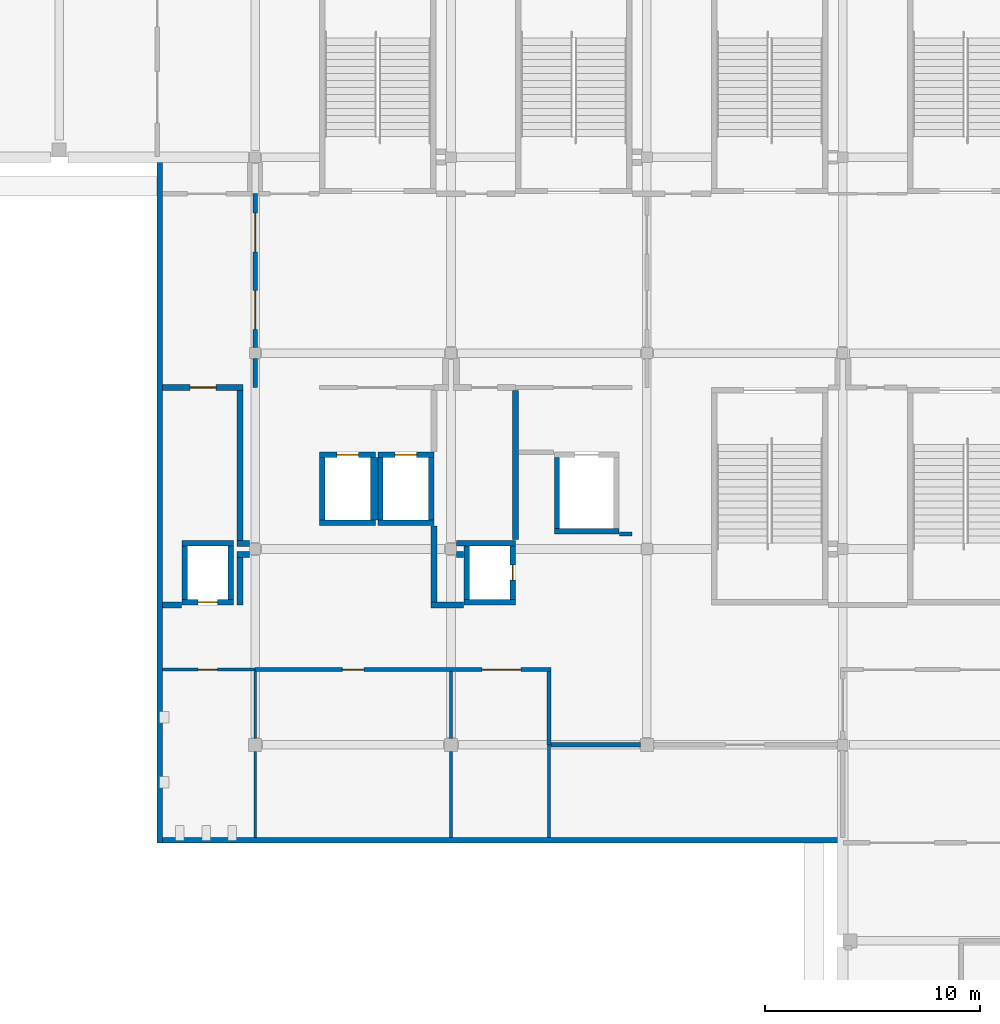
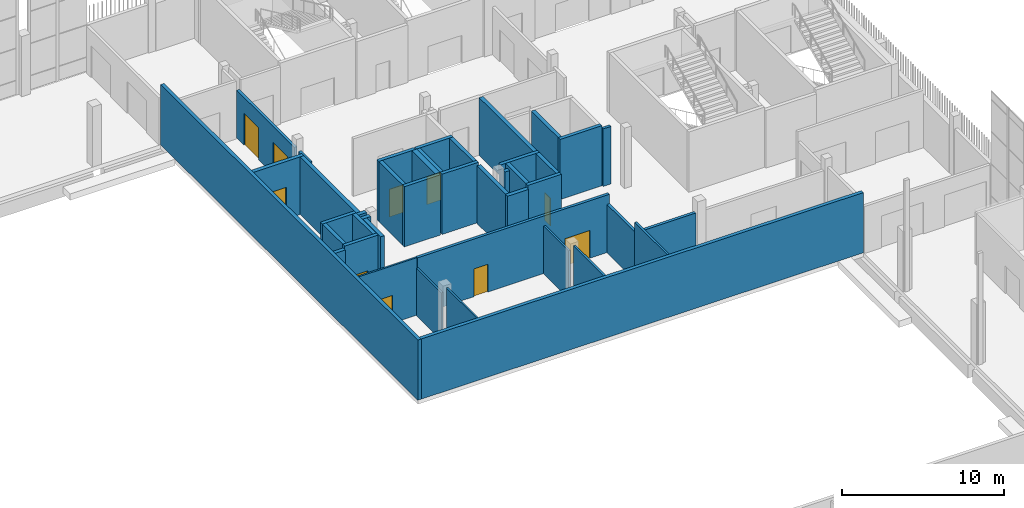
# One storey, part 51 of 91: 42 walls, 10 doors, 10 openings.
"""IFC4 building model written with IfcOpenShell, lengths in metres."""

from ifc_helpers import new_model, si_unit, direction, frame, frame_2d, origin, place, context, subcontext, project, spatial, rectangle, extrude, material, layer, layer_set, type_object, element, fill, save


model = new_model("IFC4")

# Units and contexts
model_context = context("Model", 3, precision=1e-05, world=origin(), true_north=direction((0.0, 1.0)))
body_context = subcontext(model_context, "Body", "Model", "MODEL_VIEW")
ifc_project = project(units=[si_unit("LENGTHUNIT", "METRE"), si_unit("AREAUNIT", "SQUARE_METRE"), si_unit("VOLUMEUNIT", "CUBIC_METRE"), si_unit("PLANEANGLEUNIT", "RADIAN"), si_unit("MASSUNIT", "GRAM", prefix="KILO")], contexts=[model_context])

# Site, building, storey
site_placement = place(None, origin())
site = spatial("IfcSite", under=ifc_project, at=site_placement, CompositionType="ELEMENT")
building_placement = place(site_placement, origin())
building = spatial("IfcBuilding", under=site, at=building_placement, Name="Shirokan Park Arena", CompositionType="ELEMENT")
storey_placement = place(building_placement, frame((0.0, 0.0, 24.570068359375)))
storey = spatial("IfcBuildingStorey", under=building, at=storey_placement, Name="L05", CompositionType="ELEMENT", Elevation=24.570068359375)

# Wall, openings, doors
ifc_material_1 = material(Name="Gypsum board")
ifc_layer_1 = layer(ifc_material_1, 0.02490234375, Name="Gypsum board, two layers")
ifc_material_2 = material(Name="Mineral wool insulation")
ifc_layer_2 = layer(ifc_material_2, 0.14990234375, Name="Mineral wool insulation")
ifc_layer_3 = layer(ifc_material_1, 0.02490234375, Name="Gypsum board, two layers")
ifc_layer_set_1 = layer_set([ifc_layer_1, ifc_layer_2, ifc_layer_3], Name="Gypsum board, two layers + Mineral wool insulation")
wall_type_1 = type_object("IfcWallType", Name="Corridor wall 200", PredefinedType="PARTITIONING", material=ifc_layer_set_1)
wall_1_placement = place(storey_placement, frame((109.199951171875, 76.300048828125, 0.0), z_axis=(0.0, 0.0, 1.0), x_axis=(1.0, 0.0, 0.0)))
wall_1 = element("IfcWall", 1, at=wall_1_placement, inside=storey, type_object=wall_type_1, Name="Corridor wall 200 L05", PredefinedType="PARTITIONING", context=body_context, shape_type="SweptSolid", body=[
    extrude(rectangle(XDim=13.75, YDim=0.199951171875, at=frame_2d((6.875, 0.0))), origin(), (0.0, 0.0, 1.0), 4.349853515625),
])
opening_1_placement = place(wall_1_placement, frame((10.550048828125, 0.0, 0.0)))
opening_1 = element("IfcOpeningElement", 2, at=opening_1_placement, cuts=wall_1, Name="Opening D-5030", PredefinedType="OPENING", context=body_context, shape_type="SweptSolid", body=[
    extrude(rectangle(XDim=1.800048828125, YDim=2.10009765625, at=frame_2d((0.89990234375, 1.050048828125))), frame((0.0, 0.10986328125, 0.0), z_axis=(0.0, -1.0, 0.0), x_axis=(1.0, 0.0, 0.0)), (0.0, 0.0, 1.0), 0.219970703125),
])
opening_2_placement = place(wall_1_placement, frame((4.050048828125, 0.0, 0.0)))
opening_2 = element("IfcOpeningElement", 3, at=opening_2_placement, cuts=wall_1, Name="Opening D-5031", PredefinedType="OPENING", context=body_context, shape_type="SweptSolid", body=[
    extrude(rectangle(XDim=1.0, YDim=2.10009765625, at=frame_2d((0.5, 1.050048828125))), frame((0.0, 0.10986328125, 0.0), z_axis=(0.0, -1.0, 0.0), x_axis=(1.0, 0.0, 0.0)), (0.0, 0.0, 1.0), 0.219970703125),
])
ifc_material_3 = material(Name="Timber door set, fire resisting", Category="wood")
door_type_1 = type_object("IfcDoorType", Name="Door 1000 x 2100", OperationType="SINGLE_SWING_LEFT", PredefinedType="DOOR", material=ifc_material_3)
door_1_placement = place(opening_2_placement, origin())
door_1 = element("IfcDoor", 4, at=door_1_placement, inside=storey, type_object=door_type_1, Name="Door to Staff Room 5.33 D-5031", OperationType="SINGLE_SWING_RIGHT", OverallHeight=2.10009765625, OverallWidth=1.0, PredefinedType="DOOR", context=body_context, shape_type="SweptSolid", body=[
    extrude(rectangle(XDim=1.0, YDim=2.10009765625, at=frame_2d((0.5, 1.050048828125))), frame((0.0, 0.02490234375, 0.0), z_axis=(0.0, -1.0, 0.0), x_axis=(1.0, 0.0, 0.0)), (0.0, 0.0, 1.0), 0.050048828125),
])
fill(opening_2, door_1)
door_type_2 = type_object("IfcDoorType", Name="Double door 1800 x 2100", OperationType="DOUBLE_DOOR_SINGLE_SWING", PredefinedType="DOOR", material=ifc_material_3)
door_2_placement = place(opening_1_placement, origin())
door_2 = element("IfcDoor", 5, at=door_2_placement, inside=storey, type_object=door_type_2, Name="Door to Merchandise Store 5.32 D-5030", OperationType="DOUBLE_DOOR_SINGLE_SWING", OverallHeight=2.10009765625, OverallWidth=1.800048828125, PredefinedType="DOOR", context=body_context, shape_type="SweptSolid", body=[
    extrude(rectangle(XDim=1.800048828125, YDim=2.10009765625, at=frame_2d((0.89990234375, 1.050048828125))), frame((0.0, 0.02490234375, 0.0), z_axis=(0.0, -1.0, 0.0), x_axis=(1.0, 0.0, 0.0)), (0.0, 0.0, 1.0), 0.050048828125),
])
fill(opening_1, door_2)

# Wall
wall_2_placement = place(storey_placement, frame((109.199951171875, 89.39990234375, 0.0), z_axis=(0.0, 0.0, 1.0), x_axis=(0.0, 1.0, 0.0)))
element("IfcWall", 6, at=wall_2_placement, inside=storey, type_object=wall_type_1, Name="Corridor wall 200 L05", PredefinedType="PARTITIONING", context=body_context, shape_type="SweptSolid", body=[
    extrude(rectangle(XDim=1.35009765625, YDim=0.199951171875, at=frame_2d((0.675048828125, 0.0))), origin(), (0.0, 0.0, 1.0), 3.599853515625),
])

# Wall, openings, doors
wall_3_placement = place(storey_placement, frame((109.199951171875, 91.25, 0.0), z_axis=(0.0, 0.0, 1.0), x_axis=(0.0, 1.0, 0.0)))
wall_3 = element("IfcWall", 7, at=wall_3_placement, inside=storey, type_object=wall_type_1, Name="Corridor wall 200 L05", PredefinedType="PARTITIONING", context=body_context, shape_type="SweptSolid", body=[
    extrude(rectangle(XDim=7.14990234375, YDim=0.199951171875, at=frame_2d((3.574951171875, 0.0))), origin(), (0.0, 0.0, 1.0), 3.599853515625),
])
opening_3_placement = place(wall_3_placement, frame((0.85009765625, 0.0, 0.0)))
opening_3 = element("IfcOpeningElement", 8, at=opening_3_placement, cuts=wall_3, Name="Opening D-5098", PredefinedType="OPENING", context=body_context, shape_type="SweptSolid", body=[
    extrude(rectangle(XDim=1.800048828125, YDim=2.39990234375, at=frame_2d((0.89990234375, 1.199951171875))), frame((0.0, 0.10986328125, 0.0), z_axis=(0.0, -1.0, 0.0), x_axis=(1.0, 0.0, 0.0)), (0.0, 0.0, 1.0), 0.219970703125),
])
opening_4_placement = place(wall_3_placement, frame((4.449951171875, 0.0, 0.0)))
opening_4 = element("IfcOpeningElement", 9, at=opening_4_placement, cuts=wall_3, Name="Opening D-5099", PredefinedType="OPENING", context=body_context, shape_type="SweptSolid", body=[
    extrude(rectangle(XDim=1.800048828125, YDim=2.39990234375, at=frame_2d((0.89990234375, 1.199951171875))), frame((0.0, 0.10986328125, 0.0), z_axis=(0.0, -1.0, 0.0), x_axis=(1.0, 0.0, 0.0)), (0.0, 0.0, 1.0), 0.219970703125),
])
ifc_material_4 = material(Name="Glazed steel door set, fire resisting", Category="steel")
door_type_3 = type_object("IfcDoorType", Name="Lift lobby door 1800 x 2400", OperationType="DOUBLE_DOOR_SINGLE_SWING", PredefinedType="DOOR", material=ifc_material_4)
door_3_placement = place(opening_3_placement, origin())
door_3 = element("IfcDoor", 10, at=door_3_placement, inside=storey, type_object=door_type_3, Name="Door between Retail Arcade 3.5.2 and Upper Concourse Lobby 3.5.3 D-5098", OperationType="DOUBLE_DOOR_SINGLE_SWING", OverallHeight=2.39990234375, OverallWidth=1.800048828125, PredefinedType="DOOR", context=body_context, shape_type="SweptSolid", body=[
    extrude(rectangle(XDim=1.800048828125, YDim=2.39990234375, at=frame_2d((0.89990234375, 1.199951171875))), frame((0.0, 0.02490234375, 0.0), z_axis=(0.0, -1.0, 0.0), x_axis=(1.0, 0.0, 0.0)), (0.0, 0.0, 1.0), 0.050048828125),
])
fill(opening_3, door_3)
door_4_placement = place(opening_4_placement, origin())
door_4 = element("IfcDoor", 11, at=door_4_placement, inside=storey, type_object=door_type_3, Name="Door between Retail Arcade 3.5.2 and Upper Concourse Lobby 3.5.3 D-5099", OperationType="DOUBLE_DOOR_SINGLE_SWING", OverallHeight=2.39990234375, OverallWidth=1.800048828125, PredefinedType="DOOR", context=body_context, shape_type="SweptSolid", body=[
    extrude(rectangle(XDim=1.800048828125, YDim=2.39990234375, at=frame_2d((0.89990234375, 1.199951171875))), frame((0.0, 0.02490234375, 0.0), z_axis=(0.0, -1.0, 0.0), x_axis=(1.0, 0.0, 0.0)), (0.0, 0.0, 1.0), 0.050048828125),
])
fill(opening_4, door_4)

# Walls
wall_4_placement = place(storey_placement, frame((122.85009765625, 76.199951171875, 0.0), z_axis=(0.0, 0.0, 1.0), x_axis=(0.0, -1.0, 0.0)))
element("IfcWall", 12, at=wall_4_placement, inside=storey, type_object=wall_type_1, Name="Corridor wall 200 L05", PredefinedType="PARTITIONING", context=body_context, shape_type="SweptSolid", body=[
    extrude(rectangle(XDim=3.39990234375, YDim=0.199951171875, at=frame_2d((1.699951171875, 0.0))), origin(), (0.0, 0.0, 1.0), 3.64990234375),
])
wall_5_placement = place(storey_placement, frame((122.949951171875, 72.800048828125, 0.0), z_axis=(0.0, 0.0, 1.0), x_axis=(1.0, 0.0, 0.0)))
element("IfcWall", 13, at=wall_5_placement, inside=storey, type_object=wall_type_1, Name="Corridor wall 200 L05", PredefinedType="PARTITIONING", context=body_context, shape_type="SweptSolid", body=[
    extrude(rectangle(XDim=4.150146484375, YDim=0.199951171875, at=frame_2d((2.0751953125, 0.0))), origin(), (0.0, 0.0, 1.0), 3.599853515625),
])
wall_6_placement = place(storey_placement, frame((126.699951171875, 82.60009765625, 0.0), z_axis=(0.0, 0.0, 1.0), x_axis=(-1.0, 0.0, 0.0)))
element("IfcWall", 14, at=wall_6_placement, inside=storey, type_object=wall_type_1, Name="Corridor wall 200 L05", PredefinedType="PARTITIONING", context=body_context, shape_type="SweptSolid", body=[
    extrude(rectangle(XDim=0.570068359375, YDim=0.199951171875, at=frame_2d((0.28515625, 0.0))), origin(), (0.0, 0.0, 1.0), 4.349853515625),
])
ifc_material_5 = material(Name="Plaster")
ifc_layer_4 = layer(ifc_material_5, 0.012451171875, Name="Plaster")
ifc_material_6 = material(Name="Concrete blockwork", Category="masonry")
ifc_layer_5 = layer(ifc_material_6, 0.25, Name="Concrete blockwork 250")
ifc_layer_6 = layer(ifc_material_5, 0.012451171875, Name="Plaster")
ifc_layer_set_2 = layer_set([ifc_layer_4, ifc_layer_5, ifc_layer_6], Name="Plaster + Concrete blockwork 250")
wall_type_2 = type_object("IfcWallType", Name="Plant room wall 275", PredefinedType="SOLIDWALL", material=ifc_layer_set_2)
wall_7_placement = place(storey_placement, frame((105.77001953125, 79.300048828125, 0.0), z_axis=(0.0, 0.0, 1.0), x_axis=(-1.0, 0.0, 0.0)))
element("IfcWall", 15, at=wall_7_placement, inside=storey, type_object=wall_type_2, Name="Plant room wall 275 L05", PredefinedType="SOLIDWALL", context=body_context, shape_type="SweptSolid", body=[
    extrude(rectangle(XDim=0.8701171875, YDim=0.27490234375, at=frame_2d((0.43505859375, 0.0))), origin(), (0.0, 0.0, 1.0), 4.349853515625),
])
wall_8_placement = place(storey_placement, frame((108.362548828125, 81.64990234375, 0.0), z_axis=(0.0, 0.0, 1.0), x_axis=(1.0, 0.0, 0.0)))
element("IfcWall", 16, at=wall_8_placement, inside=storey, type_object=wall_type_2, Name="Plant room wall 275 L05", PredefinedType="SOLIDWALL", context=body_context, shape_type="SweptSolid", body=[
    extrude(rectangle(XDim=0.58740234375, YDim=0.27490234375, at=frame_2d((0.293701171875, 0.0))), origin(), (0.0, 0.0, 1.0), 4.349853515625),
])
wall_9_placement = place(storey_placement, frame((108.5, 79.300048828125, 0.0), z_axis=(0.0, 0.0, 1.0), x_axis=(0.0, 1.0, 0.0)))
element("IfcWall", 17, at=wall_9_placement, inside=storey, type_object=wall_type_2, Name="Plant room wall 275 L05", PredefinedType="SOLIDWALL", context=body_context, shape_type="SweptSolid", body=[
    extrude(rectangle(XDim=2.21240234375, YDim=0.27490234375, at=frame_2d((1.106201171875, 0.0))), origin(), (0.0, 0.0, 1.0), 4.349853515625),
])
wall_10_placement = place(storey_placement, frame((108.5, 82.28759765625, 0.0), z_axis=(0.0, 0.0, 1.0), x_axis=(0.0, 1.0, 0.0)))
element("IfcWall", 18, at=wall_10_placement, inside=storey, type_object=wall_type_2, Name="Plant room wall 275 L05", PredefinedType="SOLIDWALL", context=body_context, shape_type="SweptSolid", body=[
    extrude(rectangle(XDim=6.974853515625, YDim=0.27490234375, at=frame_2d((3.4873046875, 0.0))), origin(), (0.0, 0.0, 1.0), 4.349853515625),
])

# Wall, opening, door
wall_11_placement = place(storey_placement, frame((108.637451171875, 89.39990234375, 0.0), z_axis=(0.0, 0.0, 1.0), x_axis=(-1.0, 0.0, 0.0)))
wall_11 = element("IfcWall", 19, at=wall_11_placement, inside=storey, type_object=wall_type_2, Name="Plant room wall 275 L05", PredefinedType="SOLIDWALL", context=body_context, shape_type="SweptSolid", body=[
    extrude(rectangle(XDim=3.737548828125, YDim=0.27490234375, at=frame_2d((1.86865234375, 0.0))), origin(), (0.0, 0.0, 1.0), 4.349853515625),
])
opening_5_placement = place(wall_11_placement, frame((1.25, 0.0, 0.0)))
opening_5 = element("IfcOpeningElement", 20, at=opening_5_placement, cuts=wall_11, Name="Opening D-5025", PredefinedType="OPENING", context=body_context, shape_type="SweptSolid", body=[
    extrude(rectangle(XDim=1.199951171875, YDim=2.39990234375, at=frame_2d((0.60009765625, 1.199951171875))), frame((0.0, 0.1474609375, 0.0), z_axis=(0.0, -1.0, 0.0), x_axis=(1.0, 0.0, 0.0)), (0.0, 0.0, 1.0), 0.294921875),
])
ifc_material_7 = material(Name="Louvred steel door set, fire resisting", Category="steel")
door_type_4 = type_object("IfcDoorType", Name="Plant room door 1200 x 2400", OperationType="SINGLE_SWING_LEFT", PredefinedType="DOOR", material=ifc_material_7)
door_5_placement = place(opening_5_placement, origin())
door_5 = element("IfcDoor", 21, at=door_5_placement, inside=storey, type_object=door_type_4, Name="Door to Communications Room 5.39 D-5025", OperationType="SINGLE_SWING_RIGHT", OverallHeight=2.39990234375, OverallWidth=1.199951171875, PredefinedType="DOOR", context=body_context, shape_type="SweptSolid", body=[
    extrude(rectangle(XDim=1.199951171875, YDim=2.39990234375, at=frame_2d((0.60009765625, 1.199951171875))), frame((0.0, 0.02490234375, 0.0), z_axis=(0.0, -1.0, 0.0), x_axis=(1.0, 0.0, 0.0)), (0.0, 0.0, 1.0), 0.050048828125),
])
fill(opening_5, door_5)

# Walls
wall_12_placement = place(storey_placement, frame((108.949951171875, 82.14990234375, 0.0), z_axis=(0.0, 0.0, 1.0), x_axis=(-1.0, 0.0, 0.0)))
element("IfcWall", 22, at=wall_12_placement, inside=storey, type_object=wall_type_2, Name="Plant room wall 275 L05", PredefinedType="SOLIDWALL", context=body_context, shape_type="SweptSolid", body=[
    extrude(rectangle(XDim=0.58740234375, YDim=0.27490234375, at=frame_2d((0.293701171875, 0.0))), origin(), (0.0, 0.0, 1.0), 4.349853515625),
])
wall_13_placement = place(storey_placement, frame((117.5, 79.4375, 0.0), z_axis=(0.0, 0.0, 1.0), x_axis=(0.0, 1.0, 0.0)))
element("IfcWall", 23, at=wall_13_placement, inside=storey, type_object=wall_type_2, Name="Plant room wall 275 L05", PredefinedType="SOLIDWALL", context=body_context, shape_type="SweptSolid", body=[
    extrude(rectangle(XDim=3.532470703125, YDim=0.27490234375, at=frame_2d((1.76611328125, 0.0))), origin(), (0.0, 0.0, 1.0), 4.349853515625),
])
wall_14_placement = place(storey_placement, frame((118.550048828125, 81.64990234375, 0.0), z_axis=(0.0, 0.0, 1.0), x_axis=(1.0, 0.0, 0.0)))
element("IfcWall", 24, at=wall_14_placement, inside=storey, type_object=wall_type_2, Name="Plant room wall 275 L05", PredefinedType="SOLIDWALL", context=body_context, shape_type="SweptSolid", body=[
    extrude(rectangle(XDim=0.320068359375, YDim=0.27490234375, at=frame_2d((0.16015625, 0.0))), origin(), (0.0, 0.0, 1.0), 4.349853515625),
])
wall_15_placement = place(storey_placement, frame((118.8701171875, 79.300048828125, 0.0), z_axis=(0.0, 0.0, 1.0), x_axis=(-1.0, 0.0, 0.0)))
element("IfcWall", 25, at=wall_15_placement, inside=storey, type_object=wall_type_2, Name="Plant room wall 275 L05", PredefinedType="SOLIDWALL", context=body_context, shape_type="SweptSolid", body=[
    extrude(rectangle(XDim=1.507568359375, YDim=0.27490234375, at=frame_2d((0.75390625, 0.0))), origin(), (0.0, 0.0, 1.0), 4.349853515625),
])
wall_16_placement = place(storey_placement, frame((121.300048828125, 82.330078125, 0.0), z_axis=(0.0, 0.0, 1.0), x_axis=(0.0, 1.0, 0.0)))
element("IfcWall", 26, at=wall_16_placement, inside=storey, type_object=wall_type_2, Name="Plant room wall 275 L05", PredefinedType="SOLIDWALL", context=body_context, shape_type="SweptSolid", body=[
    extrude(rectangle(XDim=6.932373046875, YDim=0.27490234375, at=frame_2d((3.46630859375, 0.0))), origin(), (0.0, 0.0, 1.0), 4.349853515625),
])
ifc_material_8 = material(Name="Concrete C35", Category="concrete")
ifc_layer_7 = layer(ifc_material_8, 0.25)
ifc_layer_set_3 = layer_set([ifc_layer_7], Name="Concrete C35 250 mm")
wall_type_3 = type_object("IfcWallType", Name="RC flank wall 250", PredefinedType="SHEAR", material=ifc_layer_set_3)
for number, where, z_axis, x_axis, name in (
    (27, (104.77490234375, 68.25, 0.0), (0.0, 0.0, 1.0), (0.0, 1.0, 0.0), "Flank wall N2 L05"),
    (28, (104.64990234375, 68.375, 0.0), (0.0, 0.0, 1.0), (1.0, 0.0, 0.0), "Flank wall E2 L05"),
):
    element("IfcWall", number, at=place(storey_placement, frame(where, z_axis=z_axis, x_axis=x_axis)), inside=storey, type_object=wall_type_3, Name=name, PredefinedType="SHEAR", context=body_context, shape_type="SweptSolid", body=[
        extrude(rectangle(XDim=31.85009765625, YDim=0.25, at=frame_2d((15.925048828125, 0.0))), origin(), (0.0, 0.0, 1.0), 4.550048828125),
    ])
ifc_material_9 = material(Name="Concrete C40/50", Category="concrete")
ifc_layer_8 = layer(ifc_material_9, 0.25)
ifc_layer_set_4 = layer_set([ifc_layer_8], Name="Concrete C40/50 250 mm")
wall_type_4 = type_object("IfcWallType", Name="RC shear wall 250", PredefinedType="SHEAR", material=ifc_layer_set_4)
wall_17_placement = place(storey_placement, frame((117.5, 83.125, 0.0), z_axis=(0.0, 0.0, 1.0), x_axis=(-1.0, 0.0, 0.0)))
element("IfcWall", 29, at=wall_17_placement, inside=storey, type_object=wall_type_4, Name="Shaft wall Passenger Lift 3.1 S L05", PredefinedType="SHEAR", context=body_context, shape_type="SweptSolid", body=[
    extrude(rectangle(XDim=2.60009765625, YDim=0.25, at=frame_2d((1.300048828125, 0.0))), origin(), (0.0, 0.0, 1.0), 4.550048828125),
])

# Wall, opening, door
wall_18_placement = place(storey_placement, frame((117.5, 86.27490234375, 0.0), z_axis=(0.0, 0.0, 1.0), x_axis=(-1.0, 0.0, 0.0)))
wall_18 = element("IfcWall", 30, at=wall_18_placement, inside=storey, type_object=wall_type_4, Name="Shaft wall Passenger Lift 3.1 N L05", PredefinedType="SHEAR", context=body_context, shape_type="SweptSolid", body=[
    extrude(rectangle(XDim=2.60009765625, YDim=0.25, at=frame_2d((1.300048828125, 0.0))), origin(), (0.0, 0.0, 1.0), 4.550048828125),
])
opening_6_placement = place(wall_18_placement, frame((0.800048828125, 0.0, 0.0)))
opening_6 = element("IfcOpeningElement", 31, at=opening_6_placement, cuts=wall_18, Name="Opening LD30", PredefinedType="OPENING", context=body_context, shape_type="SweptSolid", body=[
    extrude(rectangle(XDim=1.0, YDim=2.10009765625, at=frame_2d((0.5, 1.050048828125))), frame((0.0, 0.135009765625, 0.0), z_axis=(0.0, -1.0, 0.0), x_axis=(1.0, 0.0, 0.0)), (0.0, 0.0, 1.0), 0.27001953125),
])
ifc_material_10 = material(Name="Stainless steel", Category="steel")
door_type_5 = type_object("IfcDoorType", Name="Lift landing door 1000x2100", OperationType="DOUBLE_DOOR_SLIDING", PredefinedType="DOOR", material=ifc_material_10)
door_6_placement = place(opening_6_placement, origin())
door_6 = element("IfcDoor", 32, at=door_6_placement, inside=storey, type_object=door_type_5, Name="Lift landing door Passenger Lift 3.1 L05", OperationType="DOUBLE_DOOR_SLIDING", OverallHeight=2.10009765625, OverallWidth=1.0, PredefinedType="DOOR", context=body_context, shape_type="SweptSolid", body=[
    extrude(rectangle(XDim=1.0, YDim=2.10009765625, at=frame_2d((0.5, 1.050048828125))), frame((0.0, 0.02490234375, 0.0), z_axis=(0.0, -1.0, 0.0), x_axis=(1.0, 0.0, 0.0)), (0.0, 0.0, 1.0), 0.050048828125),
])
fill(opening_6, door_6)

# Walls
for number, where, z_axis, x_axis, name in (
    (33, (115.02490234375, 86.14990234375, 0.0), (0.0, 0.0, 1.0), (0.0, -1.0, 0.0), "Shaft wall Passenger Lift 3.1 W L05"),
    (34, (117.375, 86.14990234375, 0.0), (0.0, 0.0, 1.0), (0.0, -1.0, 0.0), "Shaft wall Passenger Lift 3.1 E L05"),
):
    element("IfcWall", number, at=place(storey_placement, frame(where, z_axis=z_axis, x_axis=x_axis)), inside=storey, type_object=wall_type_4, Name=name, PredefinedType="SHEAR", context=body_context, shape_type="SweptSolid", body=[
        extrude(rectangle(XDim=2.89990234375, YDim=0.25, at=frame_2d((1.449951171875, 0.0))), origin(), (0.0, 0.0, 1.0), 4.550048828125),
    ])
wall_19_placement = place(storey_placement, frame((114.800048828125, 83.125, 0.0), z_axis=(0.0, 0.0, 1.0), x_axis=(-1.0, 0.0, 0.0)))
element("IfcWall", 35, at=wall_19_placement, inside=storey, type_object=wall_type_4, Name="Shaft wall Passenger Lift 3.2 S L05", PredefinedType="SHEAR", context=body_context, shape_type="SweptSolid", body=[
    extrude(rectangle(XDim=2.60009765625, YDim=0.25, at=frame_2d((1.300048828125, 0.0))), origin(), (0.0, 0.0, 1.0), 4.550048828125),
])

# Wall, opening, door
wall_20_placement = place(storey_placement, frame((114.800048828125, 86.27490234375, 0.0), z_axis=(0.0, 0.0, 1.0), x_axis=(-1.0, 0.0, 0.0)))
wall_20 = element("IfcWall", 36, at=wall_20_placement, inside=storey, type_object=wall_type_4, Name="Shaft wall Passenger Lift 3.2 N L05", PredefinedType="SHEAR", context=body_context, shape_type="SweptSolid", body=[
    extrude(rectangle(XDim=2.60009765625, YDim=0.25, at=frame_2d((1.300048828125, 0.0))), origin(), (0.0, 0.0, 1.0), 4.550048828125),
])
opening_7_placement = place(wall_20_placement, frame((0.800048828125, 0.0, 0.0)))
opening_7 = element("IfcOpeningElement", 37, at=opening_7_placement, cuts=wall_20, Name="Opening LD36", PredefinedType="OPENING", context=body_context, shape_type="SweptSolid", body=[
    extrude(rectangle(XDim=1.0, YDim=2.10009765625, at=frame_2d((0.5, 1.050048828125))), frame((0.0, 0.135009765625, 0.0), z_axis=(0.0, -1.0, 0.0), x_axis=(1.0, 0.0, 0.0)), (0.0, 0.0, 1.0), 0.27001953125),
])
door_7_placement = place(opening_7_placement, origin())
door_7 = element("IfcDoor", 38, at=door_7_placement, inside=storey, type_object=door_type_5, Name="Lift landing door Passenger Lift 3.2 L05", OperationType="DOUBLE_DOOR_SLIDING", OverallHeight=2.10009765625, OverallWidth=1.0, PredefinedType="DOOR", context=body_context, shape_type="SweptSolid", body=[
    extrude(rectangle(XDim=1.0, YDim=2.10009765625, at=frame_2d((0.5, 1.050048828125))), frame((0.0, 0.02490234375, 0.0), z_axis=(0.0, -1.0, 0.0), x_axis=(1.0, 0.0, 0.0)), (0.0, 0.0, 1.0), 0.050048828125),
])
fill(opening_7, door_7)

# Wall
wall_21_placement = place(storey_placement, frame((112.324951171875, 86.14990234375, 0.0), z_axis=(0.0, 0.0, 1.0), x_axis=(0.0, -1.0, 0.0)))
element("IfcWall", 39, at=wall_21_placement, inside=storey, type_object=wall_type_4, Name="Shaft wall Passenger Lift 3.2 W L05", PredefinedType="SHEAR", context=body_context, shape_type="SweptSolid", body=[
    extrude(rectangle(XDim=2.89990234375, YDim=0.25, at=frame_2d((1.449951171875, 0.0))), origin(), (0.0, 0.0, 1.0), 4.550048828125),
])

# Wall, opening, door
wall_22_placement = place(storey_placement, frame((108.199951171875, 79.425048828125, 0.0), z_axis=(0.0, 0.0, 1.0), x_axis=(-1.0, 0.0, 0.0)))
wall_22 = element("IfcWall", 40, at=wall_22_placement, inside=storey, type_object=wall_type_4, Name="Shaft wall Services Riser 3.1 S L05", PredefinedType="SHEAR", context=body_context, shape_type="SweptSolid", body=[
    extrude(rectangle(XDim=2.39990234375, YDim=0.25, at=frame_2d((1.199951171875, 0.0))), origin(), (0.0, 0.0, 1.0), 4.550048828125),
])
opening_8_placement = place(wall_22_placement, frame((0.75, 0.0, 0.0)))
opening_8 = element("IfcOpeningElement", 41, at=opening_8_placement, cuts=wall_22, Name="Opening D-5128", PredefinedType="OPENING", context=body_context, shape_type="SweptSolid", body=[
    extrude(rectangle(XDim=0.89990234375, YDim=2.10009765625, at=frame_2d((0.449951171875, 1.050048828125))), frame((0.0, 0.135009765625, 0.0), z_axis=(0.0, -1.0, 0.0), x_axis=(1.0, 0.0, 0.0)), (0.0, 0.0, 1.0), 0.27001953125),
])
ifc_material_11 = material(Name="Steel door set, fire resisting", Category="steel")
door_type_6 = type_object("IfcDoorType", Name="Electrical riser door 900 x 2100", OperationType="SINGLE_SWING_LEFT", PredefinedType="DOOR", material=ifc_material_11)
door_8_placement = place(opening_8_placement, origin())
door_8 = element("IfcDoor", 42, at=door_8_placement, inside=storey, type_object=door_type_6, Name="Riser access door Services Riser 3.1 D-5128", OperationType="SINGLE_SWING_LEFT", OverallHeight=2.10009765625, OverallWidth=0.89990234375, PredefinedType="DOOR", context=body_context, shape_type="SweptSolid", body=[
    extrude(rectangle(XDim=0.89990234375, YDim=2.10009765625, at=frame_2d((0.449951171875, 1.050048828125))), frame((0.0, 0.02490234375, 0.0), z_axis=(0.0, -1.0, 0.0), x_axis=(1.0, 0.0, 0.0)), (0.0, 0.0, 1.0), 0.050048828125),
])
fill(opening_8, door_8)

# Walls
wall_23_placement = place(storey_placement, frame((108.199951171875, 82.175048828125, 0.0), z_axis=(0.0, 0.0, 1.0), x_axis=(-1.0, 0.0, 0.0)))
element("IfcWall", 43, at=wall_23_placement, inside=storey, type_object=wall_type_4, Name="Shaft wall Services Riser 3.1 N L05", PredefinedType="SHEAR", context=body_context, shape_type="SweptSolid", body=[
    extrude(rectangle(XDim=2.39990234375, YDim=0.25, at=frame_2d((1.199951171875, 0.0))), origin(), (0.0, 0.0, 1.0), 4.550048828125),
])
for number, where, z_axis, x_axis, name in (
    (44, (105.925048828125, 82.050048828125, 0.0), (0.0, 0.0, 1.0), (0.0, -1.0, 0.0), "Shaft wall Services Riser 3.1 W L05"),
    (45, (108.074951171875, 82.050048828125, 0.0), (0.0, 0.0, 1.0), (0.0, -1.0, 0.0), "Shaft wall Services Riser 3.1 E L05"),
):
    element("IfcWall", number, at=place(storey_placement, frame(where, z_axis=z_axis, x_axis=x_axis)), inside=storey, type_object=wall_type_4, Name=name, PredefinedType="SHEAR", context=body_context, shape_type="SweptSolid", body=[
        extrude(rectangle(XDim=2.5, YDim=0.25, at=frame_2d((1.25, 0.0))), origin(), (0.0, 0.0, 1.0), 4.550048828125),
    ])
wall_24_placement = place(storey_placement, frame((121.300048828125, 79.425048828125, 0.0), z_axis=(0.0, 0.0, 1.0), x_axis=(-1.0, 0.0, 0.0)))
element("IfcWall", 46, at=wall_24_placement, inside=storey, type_object=wall_type_4, Name="Shaft wall Services Riser 3.2 S L05", PredefinedType="SHEAR", context=body_context, shape_type="SweptSolid", body=[
    extrude(rectangle(XDim=2.400146484375, YDim=0.25, at=frame_2d((1.2001953125, 0.0))), origin(), (0.0, 0.0, 1.0), 4.550048828125),
])
wall_25_placement = place(storey_placement, frame((121.300048828125, 82.175048828125, 0.0), z_axis=(0.0, 0.0, 1.0), x_axis=(-1.0, 0.0, 0.0)))
element("IfcWall", 47, at=wall_25_placement, inside=storey, type_object=wall_type_4, Name="Shaft wall Services Riser 3.2 N L05", PredefinedType="SHEAR", context=body_context, shape_type="SweptSolid", body=[
    extrude(rectangle(XDim=2.75, YDim=0.25, at=frame_2d((1.375, 0.0))), origin(), (0.0, 0.0, 1.0), 4.550048828125),
])
wall_26_placement = place(storey_placement, frame((119.02490234375, 82.050048828125, 0.0), z_axis=(0.0, 0.0, 1.0), x_axis=(0.0, -1.0, 0.0)))
element("IfcWall", 48, at=wall_26_placement, inside=storey, type_object=wall_type_4, Name="Shaft wall Services Riser 3.2 W L05", PredefinedType="SHEAR", context=body_context, shape_type="SweptSolid", body=[
    extrude(rectangle(XDim=2.5, YDim=0.25, at=frame_2d((1.25, 0.0))), origin(), (0.0, 0.0, 1.0), 4.550048828125),
])

# Wall, opening, door
wall_27_placement = place(storey_placement, frame((121.175048828125, 82.050048828125, 0.0), z_axis=(0.0, 0.0, 1.0), x_axis=(0.0, -1.0, 0.0)))
wall_27 = element("IfcWall", 49, at=wall_27_placement, inside=storey, type_object=wall_type_4, Name="Shaft wall Services Riser 3.2 E L05", PredefinedType="SHEAR", context=body_context, shape_type="SweptSolid", body=[
    extrude(rectangle(XDim=2.5, YDim=0.25, at=frame_2d((1.25, 0.0))), origin(), (0.0, 0.0, 1.0), 4.550048828125),
])
opening_9_placement = place(wall_27_placement, frame((0.89990234375, 0.0, 0.0)))
opening_9 = element("IfcOpeningElement", 50, at=opening_9_placement, cuts=wall_27, Name="Opening D-5129", PredefinedType="OPENING", context=body_context, shape_type="SweptSolid", body=[
    extrude(rectangle(XDim=0.699951171875, YDim=2.10009765625, at=frame_2d((0.35009765625, 1.050048828125))), frame((0.0, 0.135009765625, 0.0), z_axis=(0.0, -1.0, 0.0), x_axis=(1.0, 0.0, 0.0)), (0.0, 0.0, 1.0), 0.27001953125),
])
door_type_7 = type_object("IfcDoorType", Name="Mechanical riser door 700 x 2100", OperationType="SINGLE_SWING_LEFT", PredefinedType="DOOR", material=ifc_material_11)
door_9_placement = place(opening_9_placement, origin())
door_9 = element("IfcDoor", 51, at=door_9_placement, inside=storey, type_object=door_type_7, Name="Riser access door Services Riser 3.2 D-5129", OperationType="SINGLE_SWING_RIGHT", OverallHeight=2.10009765625, OverallWidth=0.699951171875, PredefinedType="DOOR", context=body_context, shape_type="SweptSolid", body=[
    extrude(rectangle(XDim=0.699951171875, YDim=2.10009765625, at=frame_2d((0.35009765625, 1.050048828125))), frame((0.0, 0.02490234375, 0.0), z_axis=(0.0, -1.0, 0.0), x_axis=(1.0, 0.0, 0.0)), (0.0, 0.0, 1.0), 0.050048828125),
])
fill(opening_9, door_9)

# Walls
wall_28_placement = place(storey_placement, frame((126.10009765625, 82.72509765625, 0.0), z_axis=(0.0, 0.0, 1.0), x_axis=(-1.0, 0.0, 0.0)))
element("IfcWall", 52, at=wall_28_placement, inside=storey, type_object=wall_type_4, Name="Shaft wall Service Lift 3 S L05", PredefinedType="SHEAR", context=body_context, shape_type="SweptSolid", body=[
    extrude(rectangle(XDim=3.0, YDim=0.25, at=frame_2d((1.5, 0.0))), origin(), (0.0, 0.0, 1.0), 4.550048828125),
])
wall_29_placement = place(storey_placement, frame((123.22509765625, 86.14990234375, 0.0), z_axis=(0.0, 0.0, 1.0), x_axis=(0.0, -1.0, 0.0)))
element("IfcWall", 53, at=wall_29_placement, inside=storey, type_object=wall_type_4, Name="Shaft wall Service Lift 3 W L05", PredefinedType="SHEAR", context=body_context, shape_type="SweptSolid", body=[
    extrude(rectangle(XDim=3.2998046875, YDim=0.25, at=frame_2d((1.64990234375, 0.0))), origin(), (0.0, 0.0, 1.0), 4.550048828125),
])
ifc_layer_9 = layer(ifc_material_9, 0.35009765625)
ifc_layer_set_5 = layer_set([ifc_layer_9], Name="Concrete C40/50 350 mm")
wall_type_5 = type_object("IfcWallType", Name="RC shear wall 350", PredefinedType="SHEAR", material=ifc_layer_set_5)
wall_30_placement = place(storey_placement, frame((114.72509765625, 86.14990234375, 0.0), z_axis=(0.0, 0.0, 1.0), x_axis=(0.0, -1.0, 0.0)))
element("IfcWall", 54, at=wall_30_placement, inside=storey, type_object=wall_type_5, Name="Shaft wall Passenger Lift 3.2 E L05", PredefinedType="SHEAR", context=body_context, shape_type="SweptSolid", body=[
    extrude(rectangle(XDim=2.89990234375, YDim=0.35009765625, at=frame_2d((1.449951171875, 0.0))), origin(), (0.0, 0.0, 1.0), 4.550048828125),
])
ifc_layer_10 = layer(ifc_material_1, 0.012451171875, Name="Gypsum board")
ifc_layer_11 = layer(ifc_material_2, 0.125, Name="Mineral wool insulation")
ifc_layer_12 = layer(ifc_material_1, 0.012451171875, Name="Gypsum board")
ifc_layer_set_6 = layer_set([ifc_layer_10, ifc_layer_11, ifc_layer_12], Name="Gypsum board + Mineral wool insulation")
wall_type_6 = type_object("IfcWallType", Name="Room partition 150", PredefinedType="PARTITIONING", material=ifc_layer_set_6)
wall_31_placement = place(storey_placement, frame((118.300048828125, 68.5, 0.0), z_axis=(0.0, 0.0, 1.0), x_axis=(0.0, 1.0, 0.0)))
element("IfcWall", 55, at=wall_31_placement, inside=storey, type_object=wall_type_6, Name="Room partition 150 L05", PredefinedType="PARTITIONING", context=body_context, shape_type="SweptSolid", body=[
    extrude(rectangle(XDim=4.0, YDim=0.14990234375, at=frame_2d((2.0, 0.0))), origin(), (0.0, 0.0, 1.0), 4.349853515625),
])
wall_32_placement = place(storey_placement, frame((118.300048828125, 73.10009765625, 0.0), z_axis=(0.0, 0.0, 1.0), x_axis=(0.0, 1.0, 0.0)))
element("IfcWall", 56, at=wall_32_placement, inside=storey, type_object=wall_type_6, Name="Room partition 150 L05", PredefinedType="PARTITIONING", context=body_context, shape_type="SweptSolid", body=[
    extrude(rectangle(XDim=3.099853515625, YDim=0.14990234375, at=frame_2d((1.5498046875, 0.0))), origin(), (0.0, 0.0, 1.0), 3.599853515625),
])
wall_33_placement = place(storey_placement, frame((122.85009765625, 68.5, 0.0), z_axis=(0.0, 0.0, 1.0), x_axis=(0.0, 1.0, 0.0)))
element("IfcWall", 57, at=wall_33_placement, inside=storey, type_object=wall_type_6, Name="Room partition 150 L05", PredefinedType="PARTITIONING", context=body_context, shape_type="SweptSolid", body=[
    extrude(rectangle(XDim=4.300048828125, YDim=0.14990234375, at=frame_2d((2.14990234375, 0.0))), origin(), (0.0, 0.0, 1.0), 4.349853515625),
])

# Wall, opening, door
ifc_material_12 = material(Name="Ceramic tile")
ifc_layer_13 = layer(ifc_material_12, 0.010009765625, Name="Ceramic tile")
ifc_material_13 = material(Name="Cement board")
ifc_layer_14 = layer(ifc_material_13, 0.012451171875, Name="Cement board")
ifc_layer_15 = layer(ifc_material_2, 0.080078125, Name="Mineral wool insulation")
ifc_layer_16 = layer(ifc_material_13, 0.012451171875, Name="Cement board")
ifc_layer_17 = layer(ifc_material_12, 0.010009765625, Name="Ceramic tile")
ifc_layer_set_7 = layer_set([ifc_layer_13, ifc_layer_14, ifc_layer_15, ifc_layer_16, ifc_layer_17], Name="Ceramic tile + Cement board + Mineral wool insulation")
wall_type_7 = type_object("IfcWallType", Name="Wet-area wall 125", PredefinedType="PARTITIONING", material=ifc_layer_set_7)
wall_34_placement = place(storey_placement, frame((104.89990234375, 76.300048828125, 0.0), z_axis=(0.0, 0.0, 1.0), x_axis=(1.0, 0.0, 0.0)))
wall_34 = element("IfcWall", 58, at=wall_34_placement, inside=storey, type_object=wall_type_7, Name="Wet-area wall 125 L05", PredefinedType="PARTITIONING", context=body_context, shape_type="SweptSolid", body=[
    extrude(rectangle(XDim=4.300048828125, YDim=0.125, at=frame_2d((2.14990234375, 0.0))), origin(), (0.0, 0.0, 1.0), 4.349853515625),
])
opening_10_placement = place(wall_34_placement, frame((1.64990234375, 0.0, 0.0)))
opening_10 = element("IfcOpeningElement", 59, at=opening_10_placement, cuts=wall_34, Name="Opening D-5032", PredefinedType="OPENING", context=body_context, shape_type="SweptSolid", body=[
    extrude(rectangle(XDim=0.89990234375, YDim=2.10009765625, at=frame_2d((0.449951171875, 1.050048828125))), frame((0.0, 0.072509765625, 0.0), z_axis=(0.0, -1.0, 0.0), x_axis=(1.0, 0.0, 0.0)), (0.0, 0.0, 1.0), 0.14501953125),
])
door_type_8 = type_object("IfcDoorType", Name="Door 900 x 2100", OperationType="SINGLE_SWING_LEFT", PredefinedType="DOOR", material=ifc_material_3)
door_10_placement = place(opening_10_placement, origin())
door_10 = element("IfcDoor", 60, at=door_10_placement, inside=storey, type_object=door_type_8, Name="Door to Women's WC 5.34 D-5032", OperationType="SINGLE_SWING_LEFT", OverallHeight=2.10009765625, OverallWidth=0.89990234375, PredefinedType="DOOR", context=body_context, shape_type="SweptSolid", body=[
    extrude(rectangle(XDim=0.89990234375, YDim=2.10009765625, at=frame_2d((0.449951171875, 1.050048828125))), frame((0.0, 0.02490234375, 0.0), z_axis=(0.0, -1.0, 0.0), x_axis=(1.0, 0.0, 0.0)), (0.0, 0.0, 1.0), 0.050048828125),
])
fill(opening_10, door_10)

# Walls
wall_35_placement = place(storey_placement, frame((109.199951171875, 68.5, 0.0), z_axis=(0.0, 0.0, 1.0), x_axis=(0.0, 1.0, 0.0)))
element("IfcWall", 61, at=wall_35_placement, inside=storey, type_object=wall_type_7, Name="Wet-area wall 125 L05", PredefinedType="PARTITIONING", context=body_context, shape_type="SweptSolid", body=[
    extrude(rectangle(XDim=4.0, YDim=0.125, at=frame_2d((2.0, 0.0))), origin(), (0.0, 0.0, 1.0), 4.349853515625),
])
wall_36_placement = place(storey_placement, frame((109.199951171875, 73.10009765625, 0.0), z_axis=(0.0, 0.0, 1.0), x_axis=(0.0, 1.0, 0.0)))
element("IfcWall", 62, at=wall_36_placement, inside=storey, type_object=wall_type_7, Name="Wet-area wall 125 L05", PredefinedType="PARTITIONING", context=body_context, shape_type="SweptSolid", body=[
    extrude(rectangle(XDim=3.099853515625, YDim=0.125, at=frame_2d((1.5498046875, 0.0))), origin(), (0.0, 0.0, 1.0), 3.599853515625),
])

save(model, "model.ifc")
